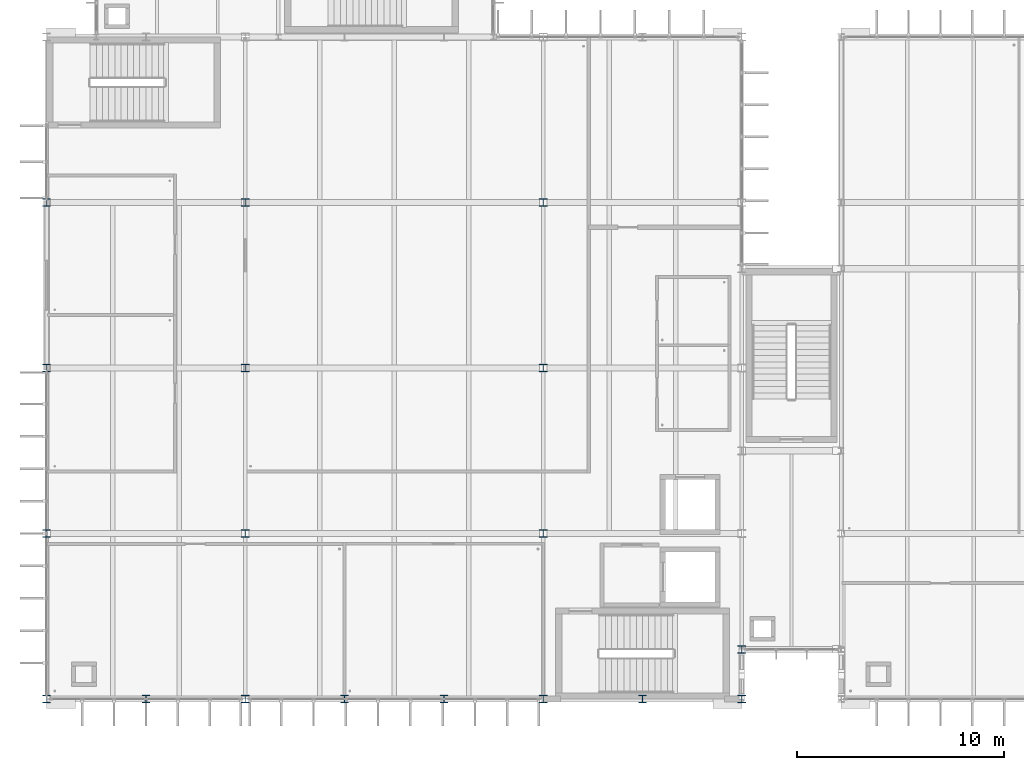
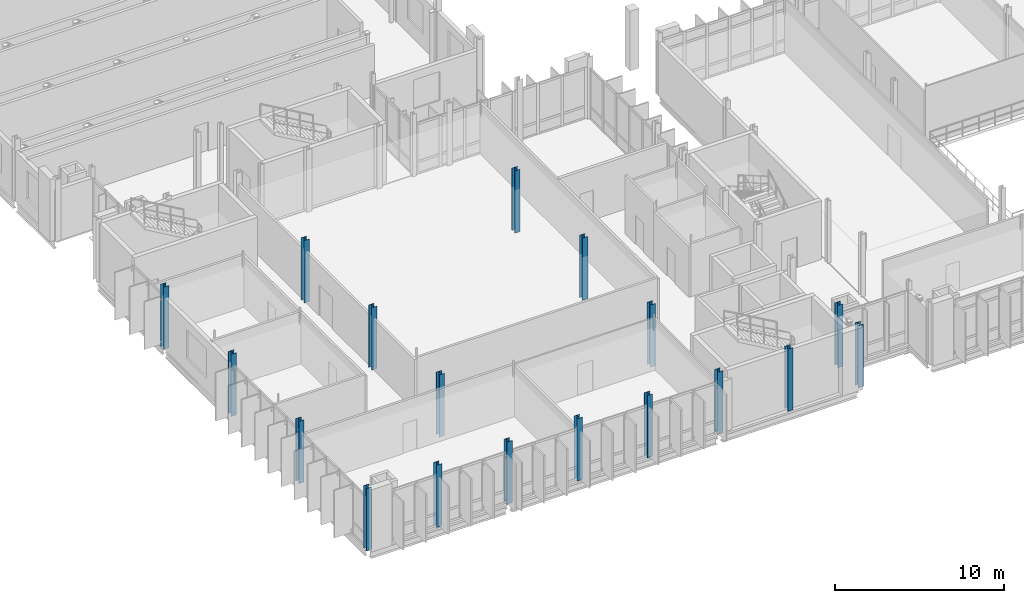
# One storey, part 1 of 110: 18 columns.
"""IFC4 building model written with IfcOpenShell, lengths in metres."""

import ifcopenshell
import ifcopenshell.guid

model = None  # the IFC model being written
_history = None  # IfcOwnerHistory: only IFC2X3 demands one
_inside = {}  # id of a spatial element -> (the spatial element, [elements in it])
_under = {}  # id of a project, library or spatial element -> (it, [spatial elements below it])
_declared = {}  # id of a project -> (the project, [libraries it declares])
_typed = {}  # id of a type object -> (the type object, [elements of that type])
_made_of = {}  # id of a material, layer set ... -> (it, [elements and type objects made of it])


def new_model(schema):
    """Start an empty IFC model of exactly this schema.

    Asked for "IFC4X3", IfcOpenShell would pick the latest addendum, in which some entities
    have other attributes; the version numbers below select the first issue.
    IFC2X3 requires an IfcOwnerHistory on every rooted entity: one is made here for all.
    """
    global model, _history
    if schema == "IFC4X3":
        model = ifcopenshell.file(schema_version=(4, 3, 0, 0))
    else:
        model = ifcopenshell.file(schema=schema)
    _inside.clear()
    _under.clear()
    _declared.clear()
    _typed.clear()
    _made_of.clear()
    _history = None
    if model.schema == "IFC2X3":
        org = make("IfcOrganization", Name="unknown")
        user = make(
            "IfcPersonAndOrganization",
            ThePerson=make("IfcPerson", FamilyName="unknown"),
            TheOrganization=org,
        )
        app = make(
            "IfcApplication",
            ApplicationDeveloper=org,
            Version="unknown",
            ApplicationFullName="unknown",
            ApplicationIdentifier="unknown",
        )
        _history = make(
            "IfcOwnerHistory",
            OwningUser=user,
            OwningApplication=app,
            ChangeAction="ADDED",
            CreationDate=0,
        )
    return model


def make(cls, **values):
    """One entity of the class cls with the attributes given. An attribute that is None is left unset."""
    return model.create_entity(
        cls, **{name: value for name, value in values.items() if value is not None}
    )


def rooted(cls, **values):
    """An entity with a GlobalId (a new one), such as an element, a storey or a relation."""
    return make(cls, GlobalId=ifcopenshell.guid.new(), OwnerHistory=_history, **values)


def si_unit(unit_type, name, prefix=None):
    """IfcSIUnit, for example si_unit("LENGTHUNIT", "METRE", prefix="MILLI")."""
    return make("IfcSIUnit", UnitType=unit_type, Prefix=prefix, Name=name)


def assignment(units):
    """IfcUnitAssignment: the units of a project."""
    return None if units is None else make("IfcUnitAssignment", Units=units)


def point(xyz):
    """IfcCartesianPoint."""
    return None if xyz is None else make("IfcCartesianPoint", Coordinates=xyz)


def direction(xyz):
    """IfcDirection."""
    return None if xyz is None else make("IfcDirection", DirectionRatios=xyz)


def frame(location, z_axis=None, x_axis=None):
    """IfcAxis2Placement3D, a coordinate frame: its origin and axes. An axis left out is left unset."""
    return make(
        "IfcAxis2Placement3D",
        Location=point(location),
        Axis=direction(z_axis),
        RefDirection=direction(x_axis),
    )


def frame_2d(location, x_axis=None):
    """IfcAxis2Placement2D, a coordinate frame in the plane: its origin and x axis."""
    return make(
        "IfcAxis2Placement2D", Location=point(location), RefDirection=direction(x_axis)
    )


def origin():
    """The frame at (0, 0, 0) with its axes left unset."""
    return frame((0.0, 0.0, 0.0))


def origin_2d():
    """The frame at (0, 0) in the plane with its x axis left unset."""
    return frame_2d((0.0, 0.0))


def place(relative_to, where):
    """IfcLocalPlacement: puts the frame where relative to a parent placement (None: the world)."""
    return make(
        "IfcLocalPlacement", PlacementRelTo=relative_to, RelativePlacement=where
    )


def context(
    kind, dimensions, precision=None, world=None, true_north=None, identifier=None
):
    """IfcGeometricRepresentationContext, for example the 3D "Model" context."""
    return make(
        "IfcGeometricRepresentationContext",
        ContextIdentifier=identifier,
        ContextType=kind,
        CoordinateSpaceDimension=dimensions,
        Precision=precision,
        WorldCoordinateSystem=world,
        TrueNorth=true_north,
    )


def subcontext(parent, identifier, kind, view, scale=None):
    """IfcGeometricRepresentationSubContext, for example "Body" below "Model"."""
    return make(
        "IfcGeometricRepresentationSubContext",
        ContextIdentifier=identifier,
        ContextType=kind,
        ParentContext=parent,
        TargetScale=scale,
        TargetView=view,
    )


def project(units=None, contexts=None):
    """IfcProject with its units and contexts."""
    return rooted(
        "IfcProject",
        Name="project",
        RepresentationContexts=contexts,
        UnitsInContext=assignment(units),
    )


def spatial(cls, under=None, at=None, **own):
    """A site, building, storey or space (cls), placed at a placement, below another one or the project."""
    s = rooted(cls, ObjectPlacement=at, **own)
    if under is not None:
        _under.setdefault(under.id(), (under, []))[1].append(s)
    return s


def profile(cls, at=None, kind="AREA", **sizes):
    """A parametric profile (cls). Its sizes go by their IFC names, for example OverallWidth=200.0."""
    return make(cls, ProfileType=kind, Position=at, **sizes)


def i_section(**sizes):
    """IfcIShapeProfileDef."""
    return profile("IfcIShapeProfileDef", **sizes)


def extrude(swept, where, along, depth):
    """IfcExtrudedAreaSolid: the profile swept, set in the frame where, extruded along a direction by depth."""
    return make(
        "IfcExtrudedAreaSolid",
        SweptArea=swept,
        Position=where,
        ExtrudedDirection=direction(along),
        Depth=depth,
    )


def shape(context_of_items, identifier, shape_type, items):
    """IfcShapeRepresentation: the items that make up one representation, for example the "Body"."""
    return make(
        "IfcShapeRepresentation",
        ContextOfItems=context_of_items,
        RepresentationIdentifier=identifier,
        RepresentationType=shape_type,
        Items=items,
    )


def material(Name=None, Category=None):
    """IfcMaterial."""
    return make("IfcMaterial", Name=Name, Category=Category)


def material_profile(
    of_material, cross_section, Name=None, Category=None, Priority=None
):
    """IfcMaterialProfile: a cross section and its material."""
    return make(
        "IfcMaterialProfile",
        Name=Name,
        Material=of_material,
        Profile=cross_section,
        Priority=Priority,
        Category=Category,
    )


def profile_set(profiles, Name=None, composite=None):
    """IfcMaterialProfileSet."""
    return make(
        "IfcMaterialProfileSet",
        Name=Name,
        MaterialProfiles=profiles,
        CompositeProfile=composite,
    )


def made_of(thing, what):
    """Note that an element or type object is made of a material, layer set ...; save() writes the relation."""
    if what is not None:
        _made_of.setdefault(what.id(), (what, []))[1].append(thing)
    return thing


def type_object(cls, material=None, **own):
    """A type object (cls), such as IfcWallType, which elements share."""
    return made_of(rooted(cls, **own), material)


def element(
    cls,
    number,
    at=None,
    inside=None,
    cuts=None,
    type_object=None,
    material=None,
    context=None,
    identifier="Body",
    shape_type=None,
    held_by="IfcProductDefinitionShape",
    body=None,
    shapes=None,
    **own,
):
    """One element of the class cls, such as IfcWall. Its Tag is "e" and its number.

    at: its placement. inside: the storey or other place that contains it. cuts: it is an
    opening in that element (IfcRelVoidsElement). A single representation is given by context,
    identifier, shape_type and body (its items); several are given by shapes. held_by: the class
    of the entity that holds the representations. save() writes the other relations.
    """
    e = rooted(cls, Tag="e%d" % number, ObjectPlacement=at, **own)
    if body is not None:
        shapes = [shape(context, identifier, shape_type, body)]
    if shapes is not None:
        e.Representation = make(held_by, Representations=shapes)
    if inside is not None:
        _inside.setdefault(inside.id(), (inside, []))[1].append(e)
    if cuts is not None:
        rooted(
            "IfcRelVoidsElement", RelatingBuildingElement=cuts, RelatedOpeningElement=e
        )
    if type_object is not None:
        _typed.setdefault(type_object.id(), (type_object, []))[1].append(e)
    return made_of(e, material)


def aggregate(whole, parts):
    """IfcRelAggregates: a whole, such as a stair, and the parts it consists of."""
    return rooted("IfcRelAggregates", RelatingObject=whole, RelatedObjects=parts)


def save(model, path):
    """Write the relations noted so far, then the file.

    IfcRelAggregates (storeys below a building ...), IfcRelContainedInSpatialStructure (elements
    in a storey), IfcRelDefinesByType, IfcRelAssociatesMaterial and IfcRelDeclares: one each for
    every whole, place, type object, material and project.
    """
    for whole, parts in _under.values():
        aggregate(whole, parts)
    for where, things in _inside.values():
        rooted(
            "IfcRelContainedInSpatialStructure",
            RelatedElements=things,
            RelatingStructure=where,
        )
    for kind, things in _typed.values():
        rooted("IfcRelDefinesByType", RelatedObjects=things, RelatingType=kind)
    for what, things in _made_of.values():
        rooted("IfcRelAssociatesMaterial", RelatedObjects=things, RelatingMaterial=what)
    for by, libraries in _declared.values():
        rooted("IfcRelDeclares", RelatingContext=by, RelatedDefinitions=libraries)
    model.write(path)


model = new_model("IFC4")

# Units and contexts
model_context = context("Model", 3, precision=1e-05, world=origin(), true_north=direction((0.0, 1.0)))
body_context = subcontext(model_context, "Body", "Model", "MODEL_VIEW")
ifc_project = project(units=[si_unit("LENGTHUNIT", "METRE"), si_unit("AREAUNIT", "SQUARE_METRE"), si_unit("VOLUMEUNIT", "CUBIC_METRE"), si_unit("PLANEANGLEUNIT", "RADIAN"), si_unit("MASSUNIT", "GRAM", prefix="KILO")], contexts=[model_context])

# Site, building, storey
site_placement = place(None, origin())
site = spatial("IfcSite", under=ifc_project, at=site_placement, CompositionType="ELEMENT")
building_placement = place(site_placement, origin())
building = spatial("IfcBuilding", under=site, at=building_placement, Name="Dunescarp Central Library", CompositionType="ELEMENT")
storey_placement = place(building_placement, frame((0.0, 0.0, 9.60009765625)))
storey = spatial("IfcBuildingStorey", under=building, at=storey_placement, Name="L02", CompositionType="ELEMENT", Elevation=9.60009765625)

# Columns
ifc_material = material(Name="Steel S355JR", Category="steel")
ifc_material_profile = material_profile(ifc_material, i_section(OverallWidth=0.37060546875, OverallDepth=0.362060546875, WebThickness=0.01220703125, FlangeThickness=0.020751953125, at=origin_2d()), Name="UC 356x368x153")
ifc_profile_set = profile_set([ifc_material_profile], Name="Steel S355JR")
column_type = type_object("IfcColumnType", Name="STR-COL-UC356X153", PredefinedType="COLUMN", material=ifc_profile_set)
for number, where, z_axis, x_axis, name in (
    (1, (0.0, 4.800048828125, 0.0), (0.0, 0.0, 1.0), (1.0, 0.0, 0.0), "L02 column V1P-0-48"),
    (2, (4.800048828125, 4.800048828125, 0.0), (0.0, 0.0, 1.0), (1.0, 0.0, 0.0), "L02 column V1P-48-48"),
    (3, (9.60009765625, 4.800048828125, 0.0), (0.0, 0.0, 1.0), (1.0, 0.0, 0.0), "L02 column V1P-96-48"),
    (4, (14.39990234375, 4.800048828125, 0.0), (0.0, 0.0, 1.0), (1.0, 0.0, 0.0), "L02 column V1P-144-48"),
    (5, (19.199951171875, 4.800048828125, 0.0), (0.0, 0.0, 1.0), (1.0, 0.0, 0.0), "L02 column V1P-192-48"),
    (6, (24.0, 4.800048828125, 0.0), (0.0, 0.0, 1.0), (1.0, 0.0, 0.0), "L02 column V1P-240-48"),
    (7, (28.800048828125, 4.800048828125, 0.0), (0.0, 0.0, 1.0), (1.0, 0.0, 0.0), "L02 column V1P-288-48"),
    (8, (33.60009765625, 4.800048828125, 0.0), (0.0, 0.0, 1.0), (1.0, 0.0, 0.0), "L02 column V1P-336-48"),
    (9, (0.0, 12.800048828125, 0.0), (0.0, 0.0, 1.0), (1.0, 0.0, 0.0), "L02 column V1P-0-128"),
    (10, (0.0, 20.800048828125, 0.0), (0.0, 0.0, 1.0), (1.0, 0.0, 0.0), "L02 column V1P-0-208"),
    (11, (0.0, 28.800048828125, 0.0), (0.0, 0.0, 1.0), (1.0, 0.0, 0.0), "L02 column V1P-0-288"),
    (12, (33.60009765625, 7.199951171875, 0.0), (0.0, 0.0, 1.0), (1.0, 0.0, 0.0), "L02 column V1P-336-72"),
    (13, (9.60009765625, 12.800048828125, 0.0), (0.0, 0.0, 1.0), (1.0, 0.0, 0.0), "L02 column V1I-96-128"),
    (14, (9.60009765625, 20.800048828125, 0.0), (0.0, 0.0, 1.0), (1.0, 0.0, 0.0), "L02 column V1I-96-208"),
    (15, (9.60009765625, 28.800048828125, 0.0), (0.0, 0.0, 1.0), (1.0, 0.0, 0.0), "L02 column V1I-96-288"),
    (16, (24.0, 12.800048828125, 0.0), (0.0, 0.0, 1.0), (1.0, 0.0, 0.0), "L02 column V1I-240-128"),
    (17, (24.0, 20.800048828125, 0.0), (0.0, 0.0, 1.0), (1.0, 0.0, 0.0), "L02 column V1I-240-208"),
    (18, (24.0, 28.800048828125, 0.0), (0.0, 0.0, 1.0), (1.0, 0.0, 0.0), "L02 column V1I-240-288"),
):
    element("IfcColumn", number, at=place(storey_placement, frame(where, z_axis=z_axis, x_axis=x_axis)), inside=storey, type_object=column_type, Name=name, PredefinedType="COLUMN", context=body_context, shape_type="SweptSolid", body=[
        extrude(i_section(OverallWidth=0.37060546875, OverallDepth=0.362060546875, WebThickness=0.01220703125, FlangeThickness=0.020751953125, at=origin_2d()), origin(), (0.0, 0.0, 1.0), 4.5),
    ])

save(model, "model.ifc")
